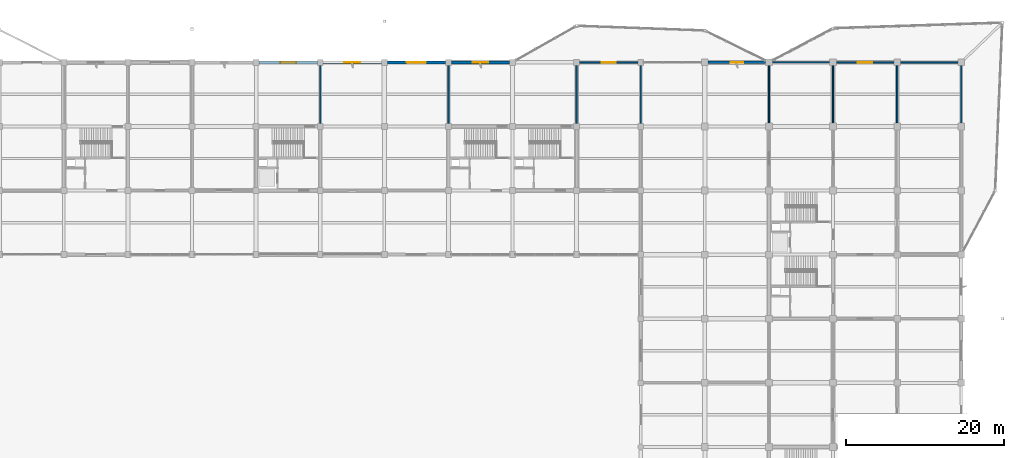
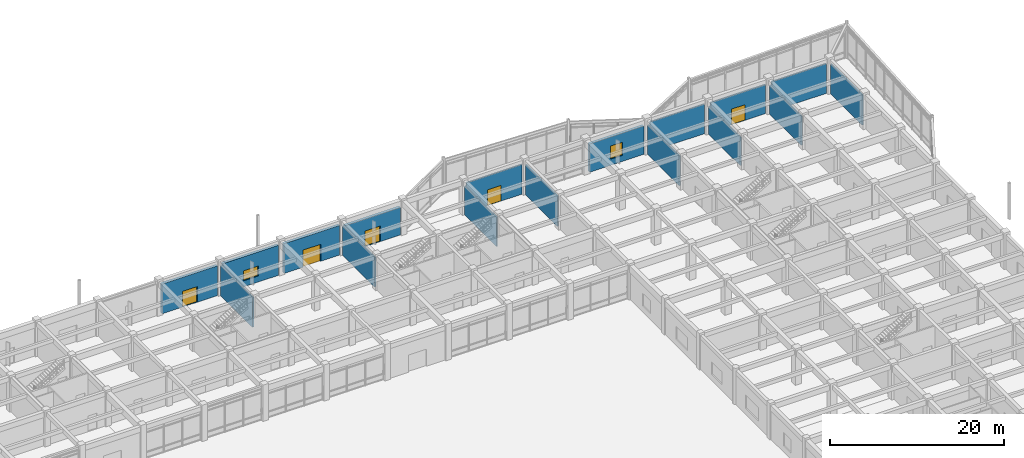
# One storey, part 73 of 99: 17 walls, 5 doors, 2 windows, 7 openings.
"""IFC4 building model written with IfcOpenShell, lengths in metres."""

from ifc_helpers import new_model, si_unit, direction, frame, frame_2d, origin, place, context, subcontext, project, spatial, rectangle, extrude, material, layer, layer_set, type_object, element, fill, save


model = new_model("IFC4")

# Units and contexts
model_context = context("Model", 3, precision=1e-05, world=origin(), true_north=direction((0.0, 1.0)))
body_context = subcontext(model_context, "Body", "Model", "MODEL_VIEW")
ifc_project = project(units=[si_unit("LENGTHUNIT", "METRE"), si_unit("AREAUNIT", "SQUARE_METRE"), si_unit("VOLUMEUNIT", "CUBIC_METRE"), si_unit("PLANEANGLEUNIT", "RADIAN"), si_unit("MASSUNIT", "GRAM", prefix="KILO")], contexts=[model_context])

# Site, building, storey
site_placement = place(None, origin())
site = spatial("IfcSite", under=ifc_project, at=site_placement, CompositionType="ELEMENT")
building_placement = place(site_placement, origin())
building = spatial("IfcBuilding", under=site, at=building_placement, Name="Vaudrelin Polytechnic", CompositionType="ELEMENT")
storey_placement = place(building_placement, origin())
storey = spatial("IfcBuildingStorey", under=building, at=storey_placement, Name="L00", CompositionType="ELEMENT", Elevation=0.0)

# Wall, opening, window
ifc_material_1 = material(Name="Precast concrete 35 MPa with terracotta baguette screen", Category="masonry")
ifc_layer_1 = layer(ifc_material_1, 0.35009765625)
ifc_layer_set_1 = layer_set([ifc_layer_1], Name="Precast concrete 35 MPa with terracotta baguette screen")
wall_type_1 = type_object("IfcWallType", Name="WAL-EW-TERR350", PredefinedType="STANDARD", material=ifc_layer_set_1)
wall_1_placement = place(storey_placement, frame((138.123046875, 121.5, 0.0), z_axis=(0.0, 0.0, 1.0), x_axis=(1.0, 0.0, 0.0)))
wall_1 = element("IfcWall", 1, at=wall_1_placement, inside=storey, type_object=wall_type_1, Name="Exterior wall L00 N_V4_01", PredefinedType="STANDARD", context=body_context, shape_type="SweptSolid", body=[
    extrude(rectangle(XDim=7.25390625, YDim=0.35009765625, at=frame_2d((3.626953125, 0.0))), origin(), (0.0, 0.0, 1.0), 3.971923828125),
])
opening_1_placement = place(wall_1_placement, frame((2.826904296875, 0.0, 0.85009765625)))
opening_1 = element("IfcOpeningElement", 2, at=opening_1_placement, cuts=wall_1, Name="Opening W-L00-N-V4-02", PredefinedType="OPENING", context=body_context, shape_type="SweptSolid", body=[
    extrude(rectangle(XDim=1.60009765625, YDim=1.85009765625, at=frame_2d((0.800048828125, 0.925048828125))), frame((0.0, 0.18505859375, 0.0), z_axis=(0.0, -1.0, 0.0), x_axis=(1.0, 0.0, 0.0)), (0.0, 0.0, 1.0), 0.3701171875),
])
ifc_material_2 = material(Name="Thermally broken aluminium frame with triple low-e glazing", Category="aluminium")
window_type_1 = type_object("IfcWindowType", Name="WIN-WN-11", PartitioningType="SINGLE_PANEL", PredefinedType="WINDOW", material=ifc_material_2)
window_1_placement = place(opening_1_placement, origin())
window_1 = element("IfcWindow", 3, at=window_1_placement, inside=storey, type_object=window_type_1, Name="Facade window L00-N_V4_01", OverallHeight=1.85009765625, OverallWidth=1.60009765625, PartitioningType="SINGLE_PANEL", PredefinedType="WINDOW", context=body_context, shape_type="SweptSolid", body=[
    extrude(rectangle(XDim=1.60009765625, YDim=1.85009765625, at=frame_2d((0.800048828125, 0.925048828125))), frame((0.0, 0.030029296875, 0.0), z_axis=(0.0, -1.0, 0.0), x_axis=(1.0, 0.0, 0.0)), (0.0, 0.0, 1.0), 0.06005859375),
])
fill(opening_1, window_1)

# Wall, opening, door
ifc_material_3 = material(Name="Precast concrete 35 MPa with standing-seam zinc rainscreen", Category="concrete")
ifc_layer_2 = layer(ifc_material_3, 0.360107421875)
ifc_layer_set_2 = layer_set([ifc_layer_2], Name="Precast concrete 35 MPa with standing-seam zinc rainscreen")
wall_type_2 = type_object("IfcWallType", Name="WAL-EW-ZINC360", PredefinedType="STANDARD", material=ifc_layer_set_2)
wall_2_placement = place(storey_placement, frame((81.373046875, 121.5, 0.0), z_axis=(0.0, 0.0, 1.0), x_axis=(1.0, 0.0, 0.0)))
wall_2 = element("IfcWall", 4, at=wall_2_placement, inside=storey, type_object=wall_type_2, Name="Exterior wall L00 N_V5_10", PredefinedType="STANDARD", context=body_context, shape_type="SweptSolid", body=[
    extrude(rectangle(XDim=7.35400390625, YDim=0.360107421875, at=frame_2d((3.677001953125, 0.0))), origin(), (0.0, 0.0, 1.0), 4.172119140625),
])
opening_2_placement = place(wall_2_placement, frame((2.677001953125, 0.0, 0.0)))
opening_2 = element("IfcOpeningElement", 5, at=opening_2_placement, cuts=wall_2, Name="Opening ED-00-04", PredefinedType="OPENING", context=body_context, shape_type="SweptSolid", body=[
    extrude(rectangle(XDim=2.0, YDim=2.199951171875, at=frame_2d((1.0, 1.10009765625))), frame((0.0, 0.18994140625, 0.0), z_axis=(0.0, -1.0, 0.0), x_axis=(1.0, 0.0, 0.0)), (0.0, 0.0, 1.0), 0.380126953125),
])
ifc_material_4 = material(Name="Thermally broken anodised aluminium AA 6063-T6", Category="aluminium")
door_type_1 = type_object("IfcDoorType", Name="DOR-ED-02", OperationType="DOUBLE_SWING_LEFT", PredefinedType="DOOR", material=ifc_material_4)
door_1_placement = place(opening_2_placement, origin())
door_1 = element("IfcDoor", 6, at=door_1_placement, inside=storey, type_object=door_type_1, Name="Exterior exit door ED-00-04", OperationType="DOUBLE_SWING_LEFT", OverallHeight=2.199951171875, OverallWidth=2.0, PredefinedType="DOOR", context=body_context, shape_type="SweptSolid", body=[
    extrude(rectangle(XDim=2.0, YDim=2.199951171875, at=frame_2d((1.0, 1.10009765625))), frame((0.0, 0.02490234375, 0.0), z_axis=(0.0, -1.0, 0.0), x_axis=(1.0, 0.0, 0.0)), (0.0, 0.0, 1.0), 0.050048828125),
])
fill(opening_2, door_1)

# Wall, opening, window
wall_3_placement = place(storey_placement, frame((89.472900390625, 121.5, 0.0), z_axis=(0.0, 0.0, 1.0), x_axis=(1.0, 0.0, 0.0)))
wall_3 = element("IfcWall", 7, at=wall_3_placement, inside=storey, type_object=wall_type_2, Name="Exterior wall L00 N_V5_11", PredefinedType="STANDARD", context=body_context, shape_type="SweptSolid", body=[
    extrude(rectangle(XDim=7.35400390625, YDim=0.360107421875, at=frame_2d((3.677001953125, 0.0))), origin(), (0.0, 0.0, 1.0), 4.221923828125),
])
opening_3_placement = place(wall_3_placement, frame((2.677001953125, 0.0, 0.85009765625)))
opening_3 = element("IfcOpeningElement", 8, at=opening_3_placement, cuts=wall_3, Name="Opening W-L00-N-V5-12", PredefinedType="OPENING", context=body_context, shape_type="SweptSolid", body=[
    extrude(rectangle(XDim=2.0, YDim=1.39990234375, at=frame_2d((1.0, 0.699951171875))), frame((0.0, 0.18994140625, 0.0), z_axis=(0.0, -1.0, 0.0), x_axis=(1.0, 0.0, 0.0)), (0.0, 0.0, 1.0), 0.380126953125),
])
window_type_2 = type_object("IfcWindowType", Name="WIN-WN-10", PartitioningType="SINGLE_PANEL", PredefinedType="WINDOW", material=ifc_material_2)
window_2_placement = place(opening_3_placement, origin())
window_2 = element("IfcWindow", 9, at=window_2_placement, inside=storey, type_object=window_type_2, Name="Facade window L00-N_V5_11", OverallHeight=1.39990234375, OverallWidth=2.0, PartitioningType="SINGLE_PANEL", PredefinedType="WINDOW", context=body_context, shape_type="SweptSolid", body=[
    extrude(rectangle(XDim=2.0, YDim=1.39990234375, at=frame_2d((1.0, 0.699951171875))), frame((0.0, 0.030029296875, 0.0), z_axis=(0.0, -1.0, 0.0), x_axis=(1.0, 0.0, 0.0)), (0.0, 0.0, 1.0), 0.06005859375),
])
fill(opening_3, window_2)

# Wall, opening, door
wall_4_placement = place(storey_placement, frame((97.572998046875, 121.5, 0.0), z_axis=(0.0, 0.0, 1.0), x_axis=(1.0, 0.0, 0.0)))
wall_4 = element("IfcWall", 10, at=wall_4_placement, inside=storey, type_object=wall_type_2, Name="Exterior wall L00 N_V5_12", PredefinedType="STANDARD", context=body_context, shape_type="SweptSolid", body=[
    extrude(rectangle(XDim=7.35400390625, YDim=0.360107421875, at=frame_2d((3.677001953125, 0.0))), origin(), (0.0, 0.0, 1.0), 4.172119140625),
])
opening_4_placement = place(wall_4_placement, frame((2.47705078125, 0.0, 0.0)))
opening_4 = element("IfcOpeningElement", 11, at=opening_4_placement, cuts=wall_4, Name="Opening ED-00-18", PredefinedType="OPENING", context=body_context, shape_type="SweptSolid", body=[
    extrude(rectangle(XDim=2.39990234375, YDim=2.39990234375, at=frame_2d((1.199951171875, 1.199951171875))), frame((0.0, 0.18994140625, 0.0), z_axis=(0.0, -1.0, 0.0), x_axis=(1.0, 0.0, 0.0)), (0.0, 0.0, 1.0), 0.380126953125),
])
door_type_2 = type_object("IfcDoorType", Name="DOR-ED-01", OperationType="DOUBLE_SWING_LEFT", PredefinedType="DOOR", material=ifc_material_4)
door_2_placement = place(opening_4_placement, origin())
door_2 = element("IfcDoor", 12, at=door_2_placement, inside=storey, type_object=door_type_2, Name="Exterior exit door ED-00-18", OperationType="DOUBLE_SWING_RIGHT", OverallHeight=2.39990234375, OverallWidth=2.39990234375, PredefinedType="DOOR", context=body_context, shape_type="SweptSolid", body=[
    extrude(rectangle(XDim=2.39990234375, YDim=2.39990234375, at=frame_2d((1.199951171875, 1.199951171875))), frame((0.0, 0.02490234375, 0.0), z_axis=(0.0, -1.0, 0.0), x_axis=(1.0, 0.0, 0.0)), (0.0, 0.0, 1.0), 0.050048828125),
])
fill(opening_4, door_2)

wall_5_placement = place(storey_placement, frame((105.673095703125, 121.5, 0.0), z_axis=(0.0, 0.0, 1.0), x_axis=(1.0, 0.0, 0.0)))
wall_5 = element("IfcWall", 13, at=wall_5_placement, inside=storey, type_object=wall_type_2, Name="Exterior wall L00 N_V5_13", PredefinedType="STANDARD", context=body_context, shape_type="SweptSolid", body=[
    extrude(rectangle(XDim=7.35400390625, YDim=0.360107421875, at=frame_2d((3.677001953125, 0.0))), origin(), (0.0, 0.0, 1.0), 3.8720703125),
])
opening_5_placement = place(wall_5_placement, frame((2.677001953125, 0.0, 0.0)))
opening_5 = element("IfcOpeningElement", 14, at=opening_5_placement, cuts=wall_5, Name="Opening ED-00-32", PredefinedType="OPENING", context=body_context, shape_type="SweptSolid", body=[
    extrude(rectangle(XDim=2.0, YDim=2.199951171875, at=frame_2d((1.0, 1.10009765625))), frame((0.0, 0.18994140625, 0.0), z_axis=(0.0, -1.0, 0.0), x_axis=(1.0, 0.0, 0.0)), (0.0, 0.0, 1.0), 0.380126953125),
])
door_3_placement = place(opening_5_placement, origin())
door_3 = element("IfcDoor", 15, at=door_3_placement, inside=storey, type_object=door_type_1, Name="Exterior exit door ED-00-32", OperationType="DOUBLE_SWING_LEFT", OverallHeight=2.199951171875, OverallWidth=2.0, PredefinedType="DOOR", context=body_context, shape_type="SweptSolid", body=[
    extrude(rectangle(XDim=2.0, YDim=2.199951171875, at=frame_2d((1.0, 1.10009765625))), frame((0.0, 0.02490234375, 0.0), z_axis=(0.0, -1.0, 0.0), x_axis=(1.0, 0.0, 0.0)), (0.0, 0.0, 1.0), 0.050048828125),
])
fill(opening_5, door_3)

# Walls
ifc_material_5 = material(Name="Acoustic double-stud gypsum & mineral-wool partition", Category="gypsum")
ifc_layer_3 = layer(ifc_material_5, 0.179931640625)
ifc_layer_set_3 = layer_set([ifc_layer_3], Name="Acoustic double-stud gypsum & mineral-wool partition")
wall_type_3 = type_object("IfcWallType", Name="WAL-PW-AC180", PredefinedType="PARTITIONING", material=ifc_layer_set_3)
wall_6_placement = place(storey_placement, frame((105.300048828125, 113.77294921875, 0.0), z_axis=(0.0, 0.0, 1.0), x_axis=(0.0, 1.0, 0.0)))
element("IfcWall", 16, at=wall_6_placement, inside=storey, type_object=wall_type_3, Name="Partition L00-018 E", PredefinedType="PARTITIONING", context=body_context, shape_type="SweptSolid", body=[
    extrude(rectangle(XDim=7.35400390625, YDim=0.179931640625, at=frame_2d((3.677001953125, 0.0))), origin(), (0.0, 0.0, 1.0), 4.172119140625),
])
for number, where, z_axis, x_axis, name in (
    (17, (89.10009765625, 113.77294921875, 0.0), (0.0, 0.0, 1.0), (0.0, 1.0, 0.0), "Partition L00-018 W"),
    (18, (129.60009765625, 113.77294921875, 0.0), (0.0, 0.0, 1.0), (0.0, 1.0, 0.0), "Partition L00-019 E"),
):
    element("IfcWall", number, at=place(storey_placement, frame(where, z_axis=z_axis, x_axis=x_axis)), inside=storey, type_object=wall_type_3, Name=name, PredefinedType="PARTITIONING", context=body_context, shape_type="SweptSolid", body=[
        extrude(rectangle(XDim=7.35400390625, YDim=0.179931640625, at=frame_2d((3.677001953125, 0.0))), origin(), (0.0, 0.0, 1.0), 4.221923828125),
    ])
wall_7_placement = place(storey_placement, frame((121.5, 113.77294921875, 0.0), z_axis=(0.0, 0.0, 1.0), x_axis=(0.0, 1.0, 0.0)))
element("IfcWall", 19, at=wall_7_placement, inside=storey, type_object=wall_type_3, Name="Partition L00-019 W", PredefinedType="PARTITIONING", context=body_context, shape_type="SweptSolid", body=[
    extrude(rectangle(XDim=7.35400390625, YDim=0.179931640625, at=frame_2d((3.677001953125, 0.0))), origin(), (0.0, 0.0, 1.0), 4.072021484375),
])

# Wall, opening, door
wall_8_placement = place(storey_placement, frame((121.873046875, 121.5, 0.0), z_axis=(0.0, 0.0, 1.0), x_axis=(1.0, 0.0, 0.0)))
wall_8 = element("IfcWall", 20, at=wall_8_placement, inside=storey, type_object=wall_type_3, Name="Partition L00-019 N", PredefinedType="PARTITIONING", context=body_context, shape_type="SweptSolid", body=[
    extrude(rectangle(XDim=7.35400390625, YDim=0.179931640625, at=frame_2d((3.677001953125, 0.0))), origin(), (0.0, 0.0, 1.0), 4.172119140625),
])
opening_6_placement = place(wall_8_placement, frame((2.777099609375, 0.0, 0.0)))
opening_6 = element("IfcOpeningElement", 21, at=opening_6_placement, cuts=wall_8, Name="Opening D-L00-599", PredefinedType="OPENING", context=body_context, shape_type="SweptSolid", body=[
    extrude(rectangle(XDim=1.800048828125, YDim=2.199951171875, at=frame_2d((0.89990234375, 1.10009765625))), frame((0.0, 0.10009765625, 0.0), z_axis=(0.0, -1.0, 0.0), x_axis=(1.0, 0.0, 0.0)), (0.0, 0.0, 1.0), 0.199951171875),
])
ifc_material_6 = material(Name="Pressed galvanised steel acoustic leaf", Category="steel")
door_type_3 = type_object("IfcDoorType", Name="DOR-ID-DBL1", OperationType="NOTDEFINED", PredefinedType="DOOR", material=ifc_material_6)
door_4_placement = place(opening_6_placement, origin())
door_4 = element("IfcDoor", 22, at=door_4_placement, inside=storey, type_object=door_type_3, Name="North thermal pod N3 door L00", OperationType="DOUBLE_SWING_LEFT", OverallHeight=2.199951171875, OverallWidth=1.800048828125, PredefinedType="DOOR", context=body_context, shape_type="SweptSolid", body=[
    extrude(rectangle(XDim=1.800048828125, YDim=2.199951171875, at=frame_2d((0.89990234375, 1.10009765625))), frame((0.0, 0.02490234375, 0.0), z_axis=(0.0, -1.0, 0.0), x_axis=(1.0, 0.0, 0.0)), (0.0, 0.0, 1.0), 0.050048828125),
])
fill(opening_6, door_4)

# Walls
wall_9_placement = place(storey_placement, frame((162.0, 113.822998046875, 0.0), z_axis=(0.0, 0.0, 1.0), x_axis=(0.0, 1.0, 0.0)))
element("IfcWall", 23, at=wall_9_placement, inside=storey, type_object=wall_type_3, Name="Partition L00-036 W", PredefinedType="PARTITIONING", context=body_context, shape_type="SweptSolid", body=[
    extrude(rectangle(XDim=7.25390625, YDim=0.179931640625, at=frame_2d((3.626953125, 0.0))), origin(), (0.0, 0.0, 1.0), 4.072021484375),
])
wall_10_placement = place(storey_placement, frame((162.423095703125, 121.5, 0.0), z_axis=(0.0, 0.0, 1.0), x_axis=(1.0, 0.0, 0.0)))
element("IfcWall", 24, at=wall_10_placement, inside=storey, type_object=wall_type_3, Name="Partition L00-036 N", PredefinedType="PARTITIONING", context=body_context, shape_type="SweptSolid", body=[
    extrude(rectangle(XDim=7.25390625, YDim=0.179931640625, at=frame_2d((3.626953125, 0.0))), origin(), (0.0, 0.0, 1.0), 4.172119140625),
])
wall_11_placement = place(storey_placement, frame((170.10009765625, 113.822998046875, 0.0), z_axis=(0.0, 0.0, 1.0), x_axis=(0.0, 1.0, 0.0)))
element("IfcWall", 25, at=wall_11_placement, inside=storey, type_object=wall_type_3, Name="Partition L00-036 E", PredefinedType="PARTITIONING", context=body_context, shape_type="SweptSolid", body=[
    extrude(rectangle(XDim=7.25390625, YDim=0.179931640625, at=frame_2d((3.626953125, 0.0))), origin(), (0.0, 0.0, 1.0), 4.221923828125),
])

# Wall, opening, door
wall_12_placement = place(storey_placement, frame((154.322998046875, 121.5, 0.0), z_axis=(0.0, 0.0, 1.0), x_axis=(1.0, 0.0, 0.0)))
wall_12 = element("IfcWall", 26, at=wall_12_placement, inside=storey, type_object=wall_type_3, Name="Interior partition L00 19-15 to 20-15", PredefinedType="PARTITIONING", context=body_context, shape_type="SweptSolid", body=[
    extrude(rectangle(XDim=7.25390625, YDim=0.179931640625, at=frame_2d((3.626953125, 0.0))), origin(), (0.0, 0.0, 1.0), 4.072021484375),
])
opening_7_placement = place(wall_12_placement, frame((2.72705078125, 0.0, 0.0)))
opening_7 = element("IfcOpeningElement", 27, at=opening_7_placement, cuts=wall_12, Name="Opening D-L00-597", PredefinedType="OPENING", context=body_context, shape_type="SweptSolid", body=[
    extrude(rectangle(XDim=1.800048828125, YDim=2.199951171875, at=frame_2d((0.89990234375, 1.10009765625))), frame((0.0, 0.10009765625, 0.0), z_axis=(0.0, -1.0, 0.0), x_axis=(1.0, 0.0, 0.0)), (0.0, 0.0, 1.0), 0.199951171875),
])
door_5_placement = place(opening_7_placement, origin())
door_5 = element("IfcDoor", 28, at=door_5_placement, inside=storey, type_object=door_type_3, Name="NE robotics showcase prow corridor door L00", OperationType="DOUBLE_SWING_LEFT", OverallHeight=2.199951171875, OverallWidth=1.800048828125, PredefinedType="DOOR", context=body_context, shape_type="SweptSolid", body=[
    extrude(rectangle(XDim=1.800048828125, YDim=2.199951171875, at=frame_2d((0.89990234375, 1.10009765625))), frame((0.0, 0.02490234375, 0.0), z_axis=(0.0, -1.0, 0.0), x_axis=(1.0, 0.0, 0.0)), (0.0, 0.0, 1.0), 0.050048828125),
])
fill(opening_7, door_5)

# Walls
ifc_material_7 = material(Name="Moisture- and chemical-resistant laboratory partition", Category="gypsum")
ifc_layer_4 = layer(ifc_material_7, 0.159912109375)
ifc_layer_set_4 = layer_set([ifc_layer_4], Name="Moisture- and chemical-resistant laboratory partition")
wall_type_4 = type_object("IfcWallType", Name="WAL-PW-LAB160", PredefinedType="PARTITIONING", material=ifc_layer_set_4)
wall_13_placement = place(storey_placement, frame((145.800048828125, 113.822998046875, 0.0), z_axis=(0.0, 0.0, 1.0), x_axis=(0.0, 1.0, 0.0)))
element("IfcWall", 29, at=wall_13_placement, inside=storey, type_object=wall_type_4, Name="Partition L00-024 E", PredefinedType="PARTITIONING", context=body_context, shape_type="SweptSolid", body=[
    extrude(rectangle(XDim=7.25390625, YDim=0.159912109375, at=frame_2d((3.626953125, 0.0))), origin(), (0.0, 0.0, 1.0), 4.172119140625),
])
wall_14_placement = place(storey_placement, frame((153.89990234375, 113.822998046875, 0.0), z_axis=(0.0, 0.0, 1.0), x_axis=(0.0, 1.0, 0.0)))
element("IfcWall", 30, at=wall_14_placement, inside=storey, type_object=wall_type_4, Name="Partition L00-025 E", PredefinedType="PARTITIONING", context=body_context, shape_type="SweptSolid", body=[
    extrude(rectangle(XDim=7.25390625, YDim=0.159912109375, at=frame_2d((3.626953125, 0.0))), origin(), (0.0, 0.0, 1.0), 3.971923828125),
])
wall_15_placement = place(storey_placement, frame((146.222900390625, 121.5, 0.0), z_axis=(0.0, 0.0, 1.0), x_axis=(1.0, 0.0, 0.0)))
element("IfcWall", 31, at=wall_15_placement, inside=storey, type_object=wall_type_4, Name="Partition L00-025 N", PredefinedType="PARTITIONING", context=body_context, shape_type="SweptSolid", body=[
    extrude(rectangle(XDim=7.254150390625, YDim=0.159912109375, at=frame_2d((3.626953125, 0.0))), origin(), (0.0, 0.0, 1.0), 4.172119140625),
])

save(model, "model.ifc")
